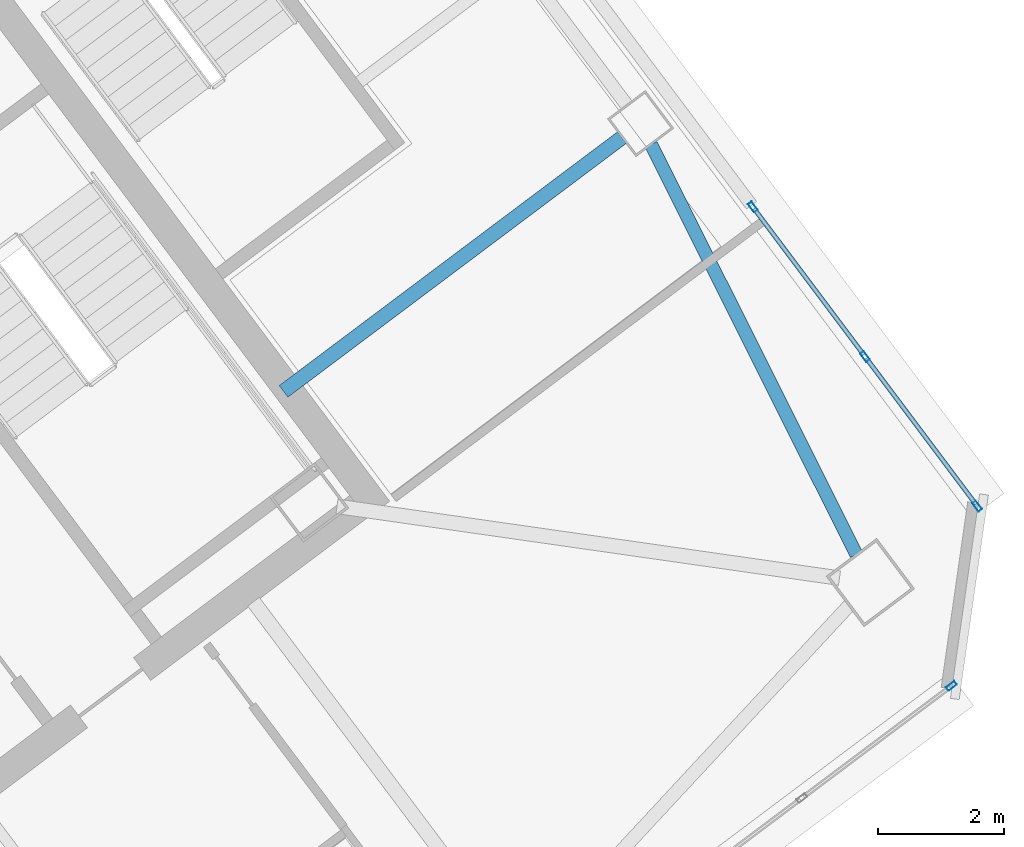
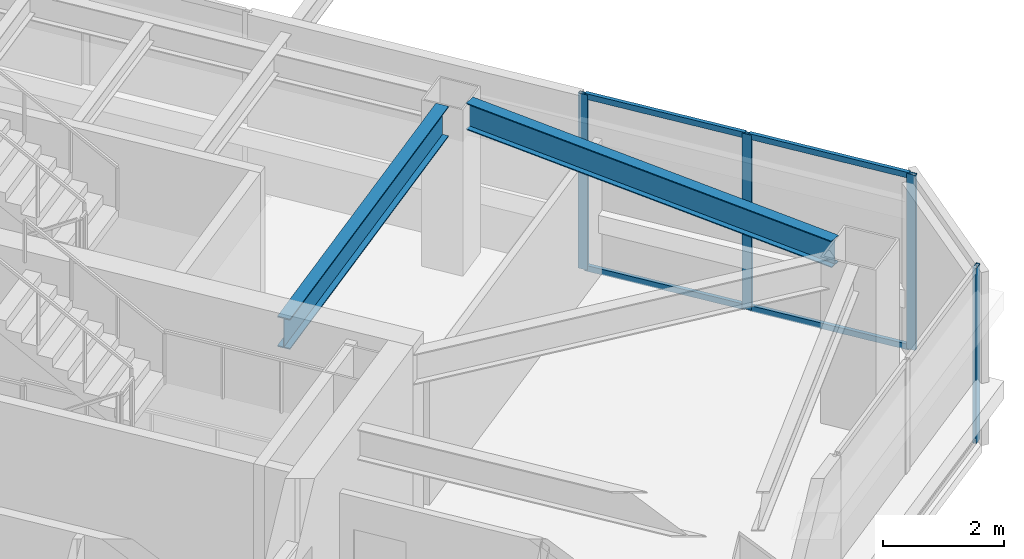
# One storey, part 27 of 44: 8 members, 2 beams, 2 elements without a shape of their own.
"""IFC4 building model written with IfcOpenShell, lengths in metres."""

from ifc_helpers import new_model, si_unit, direction, frame, origin, origin_2d, place, context, subcontext, project, spatial, hollow_rectangle, i_section, extrude, material, material_profile, profile_set, type_object, element, aggregate, save


model = new_model("IFC4")

# Units and contexts
model_context = context("Model", 3, precision=1e-05, world=origin(), true_north=direction((0.0, 1.0)))
body_context = subcontext(model_context, "Body", "Model", "MODEL_VIEW")
ifc_project = project(units=[si_unit("LENGTHUNIT", "METRE"), si_unit("AREAUNIT", "SQUARE_METRE"), si_unit("VOLUMEUNIT", "CUBIC_METRE"), si_unit("PLANEANGLEUNIT", "RADIAN"), si_unit("MASSUNIT", "GRAM", prefix="KILO")], contexts=[model_context])

# Site, building, storey
site_placement = place(None, origin())
site = spatial("IfcSite", under=ifc_project, at=site_placement, CompositionType="ELEMENT")
building_placement = place(site_placement, origin())
building = spatial("IfcBuilding", under=site, at=building_placement, Name="Tashvorn Skyway Center", CompositionType="ELEMENT")
storey_placement = place(building_placement, frame((0.0, 0.0, 211.300048828125)))
storey = spatial("IfcBuildingStorey", under=building, at=storey_placement, Name="L57", CompositionType="ELEMENT", Elevation=211.300048828125)

# Beams
ifc_material_1 = material(Name="Steel ASTM A992 Grade 50", Category="steel")
ifc_material_profile_1 = material_profile(ifc_material_1, i_section(OverallWidth=0.22998046875, OverallDepth=0.616943359375, WebThickness=0.01318359375, FlangeThickness=0.022216796875, at=origin_2d()), Name="W24X94")
ifc_profile_set_1 = profile_set([ifc_material_profile_1], Name="Steel ASTM A992 Grade 50")
beam_type_1 = type_object("IfcBeamType", Name="BM-BEAM-W24X94", PredefinedType="BEAM", material=ifc_profile_set_1)
beam_1_placement = place(storey_placement, frame((128.823974609375, 36.367919921875, 3.0615234375), z_axis=(-0.799991254452, -0.600011660554, 0.0), x_axis=(0.600011660554, -0.799991254452, 0.0)))
element("IfcBeam", 1, at=beam_1_placement, inside=storey, type_object=beam_type_1, Name="Tower 2 L57 Primary Floor Girder FC-E1", PredefinedType="BEAM", context=body_context, shape_type="SweptSolid", body=[
    extrude(i_section(OverallWidth=0.22998046875, OverallDepth=0.616943359375, WebThickness=0.01318359375, FlangeThickness=0.022216796875, at=origin_2d()), origin(), (0.0, 0.0, 1.0), 6.699951171875),
])
ifc_material_profile_2 = material_profile(ifc_material_1, i_section(OverallWidth=0.2109375, OverallDepth=0.5390625, WebThickness=0.01171875, FlangeThickness=0.018798828125, at=origin_2d()), Name="W21X73")
ifc_profile_set_2 = profile_set([ifc_material_profile_2], Name="Steel ASTM A992 Grade 50")
beam_type_2 = type_object("IfcBeamType", Name="BM-SPANDREL-W21X73", PredefinedType="SPANDREL", material=ifc_profile_set_2)
beam_2_placement = place(storey_placement, frame((132.538330078125, 29.7626953125, 3.100341796875), z_axis=(-0.447710870872, 0.894178380472, 0.0), x_axis=(-0.894178380472, -0.447710870872, 0.0)))
element("IfcBeam", 2, at=beam_2_placement, inside=storey, type_object=beam_type_2, Name="Tower 2 L57 Spandrel Beam 04", PredefinedType="SPANDREL", context=body_context, shape_type="SweptSolid", body=[
    extrude(i_section(OverallWidth=0.2109375, OverallDepth=0.5390625, WebThickness=0.01171875, FlangeThickness=0.018798828125, at=origin_2d()), origin(), (0.0, 0.0, 1.0), 7.26513671875),
])

# Curtain wall, member
ifc_material_2 = material(Name="Thermally broken bronze-anodized aluminium 6063-T6", Category="aluminium")
curtain_wall_type = type_object("IfcCurtainWallType", Name="CW-CW-Z5", PredefinedType="NOTDEFINED", material=ifc_material_2)
curtain_wall_1_placement = place(storey_placement, origin())
curtain_wall_1 = element("IfcCurtainWall", 3, at=curtain_wall_1_placement, inside=storey, type_object=curtain_wall_type, Name="Tower 2 L57 South Unitised Curtain Wall Glazing Group 1", PredefinedType="NOTDEFINED")
ifc_material_profile_3 = material_profile(ifc_material_2, hollow_rectangle(XDim=0.070068359375, YDim=0.1650390625, WallThickness=0.00390625, at=origin_2d()), Name="ALU-MULL-70x165")
ifc_profile_set_3 = profile_set([ifc_material_profile_3], Name="Thermally broken bronze-anodized aluminium 6063-T6")
member_type_1 = type_object("IfcMemberType", Name="CWM-CW-Z5", PredefinedType="MULLION", material=ifc_profile_set_3)
member_1_placement = place(storey_placement, frame((134.0439453125, 27.68310546875, 0.0), z_axis=(0.0, 0.0, 1.0), x_axis=(0.600002670604, -0.79999799704, 0.0)))
member_1 = element("IfcMember", 4, at=member_1_placement, type_object=member_type_1, Name="CW-Z5 mullion 1", PredefinedType="MULLION", context=body_context, shape_type="SweptSolid", body=[
    extrude(hollow_rectangle(XDim=0.070068359375, YDim=0.1650390625, WallThickness=0.00390625, at=origin_2d()), origin(), (0.0, 0.0, 1.0), 3.550048828125),
])
aggregate(curtain_wall_1, [member_1])

# Curtain wall, members
curtain_wall_2_placement = place(storey_placement, origin())
curtain_wall_2 = element("IfcCurtainWall", 5, at=curtain_wall_2_placement, inside=storey, type_object=curtain_wall_type, Name="Tower 2 L57 East Unitised Curtain Wall Glazing Group 3", PredefinedType="NOTDEFINED")
member_2_placement = place(storey_placement, frame((130.898193359375, 35.268798828125, 0.0), z_axis=(0.0, 0.0, 1.0), x_axis=(0.79999799704, 0.600002670604, 0.0)))
member_2 = element("IfcMember", 6, at=member_2_placement, type_object=member_type_1, Name="CW-Z5 mullion 1", PredefinedType="MULLION", context=body_context, shape_type="SweptSolid", body=[
    extrude(hollow_rectangle(XDim=0.070068359375, YDim=0.1650390625, WallThickness=0.00390625, at=origin_2d()), origin(), (0.0, 0.0, 1.0), 3.550048828125),
])
member_3_placement = place(storey_placement, frame((132.674560546875, 32.900390625, 0.0), z_axis=(0.0, 0.0, 1.0), x_axis=(0.79999799704, 0.600002670604, 0.0)))
member_3 = element("IfcMember", 7, at=member_3_placement, type_object=member_type_1, Name="CW-Z5 mullion 2", PredefinedType="MULLION", context=body_context, shape_type="SweptSolid", body=[
    extrude(hollow_rectangle(XDim=0.070068359375, YDim=0.1650390625, WallThickness=0.00390625, at=origin_2d()), origin(), (0.0, 0.0, 1.0), 3.550048828125),
])
member_4_placement = place(storey_placement, frame((134.450927734375, 30.531982421875, 0.0), z_axis=(0.0, 0.0, 1.0), x_axis=(0.79999799704, 0.600002670604, 0.0)))
member_4 = element("IfcMember", 8, at=member_4_placement, type_object=member_type_1, Name="CW-Z5 mullion 3", PredefinedType="MULLION", context=body_context, shape_type="SweptSolid", body=[
    extrude(hollow_rectangle(XDim=0.070068359375, YDim=0.1650390625, WallThickness=0.00390625, at=origin_2d()), origin(), (0.0, 0.0, 1.0), 3.550048828125),
])
ifc_material_profile_4 = material_profile(ifc_material_2, hollow_rectangle(XDim=0.070068359375, YDim=0.114990234375, WallThickness=0.00390625, at=origin_2d()), Name="ALU-TRAN-70x115")
ifc_profile_set_4 = profile_set([ifc_material_profile_4], Name="Thermally broken bronze-anodized aluminium 6063-T6")
member_type_2 = type_object("IfcMemberType", Name="CWT-CW-Z5", PredefinedType="USERDEFINED", material=ifc_profile_set_4)
member_5_placement = place(storey_placement, frame((130.919189453125, 35.240966796875, 0.034912109375), z_axis=(0.6, -0.8, 0.0), x_axis=(0.8, 0.6, 0.0)))
member_5 = element("IfcMember", 9, at=member_5_placement, type_object=member_type_2, Name="CW-Z5 transom 1.1", ObjectType="TRANSOM", PredefinedType="USERDEFINED", context=body_context, shape_type="SweptSolid", body=[
    extrude(hollow_rectangle(XDim=0.070068359375, YDim=0.114990234375, WallThickness=0.00390625, at=origin_2d()), origin(), (0.0, 0.0, 1.0), 2.890625),
])
member_6_placement = place(storey_placement, frame((130.919189453125, 35.240966796875, 3.514892578125), z_axis=(0.6, -0.8, 0.0), x_axis=(0.8, 0.6, 0.0)))
member_6 = element("IfcMember", 10, at=member_6_placement, type_object=member_type_2, Name="CW-Z5 transom 1.2", ObjectType="TRANSOM", PredefinedType="USERDEFINED", context=body_context, shape_type="SweptSolid", body=[
    extrude(hollow_rectangle(XDim=0.070068359375, YDim=0.114990234375, WallThickness=0.00390625, at=origin_2d()), origin(), (0.0, 0.0, 1.0), 2.890625),
])
member_7_placement = place(storey_placement, frame((132.695556640625, 32.87255859375, 0.034912109375), z_axis=(0.6, -0.8, 0.0), x_axis=(0.8, 0.6, 0.0)))
member_7 = element("IfcMember", 11, at=member_7_placement, type_object=member_type_2, Name="CW-Z5 transom 2.1", ObjectType="TRANSOM", PredefinedType="USERDEFINED", context=body_context, shape_type="SweptSolid", body=[
    extrude(hollow_rectangle(XDim=0.070068359375, YDim=0.114990234375, WallThickness=0.00390625, at=origin_2d()), origin(), (0.0, 0.0, 1.0), 2.890625),
])
member_8_placement = place(storey_placement, frame((132.695556640625, 32.87255859375, 3.514892578125), z_axis=(0.6, -0.8, 0.0), x_axis=(0.8, 0.6, 0.0)))
member_8 = element("IfcMember", 12, at=member_8_placement, type_object=member_type_2, Name="CW-Z5 transom 2.2", ObjectType="TRANSOM", PredefinedType="USERDEFINED", context=body_context, shape_type="SweptSolid", body=[
    extrude(hollow_rectangle(XDim=0.070068359375, YDim=0.114990234375, WallThickness=0.00390625, at=origin_2d()), origin(), (0.0, 0.0, 1.0), 2.890625),
])
aggregate(curtain_wall_2, [member_2, member_3, member_4, member_5, member_6, member_7, member_8])

save(model, "model.ifc")
